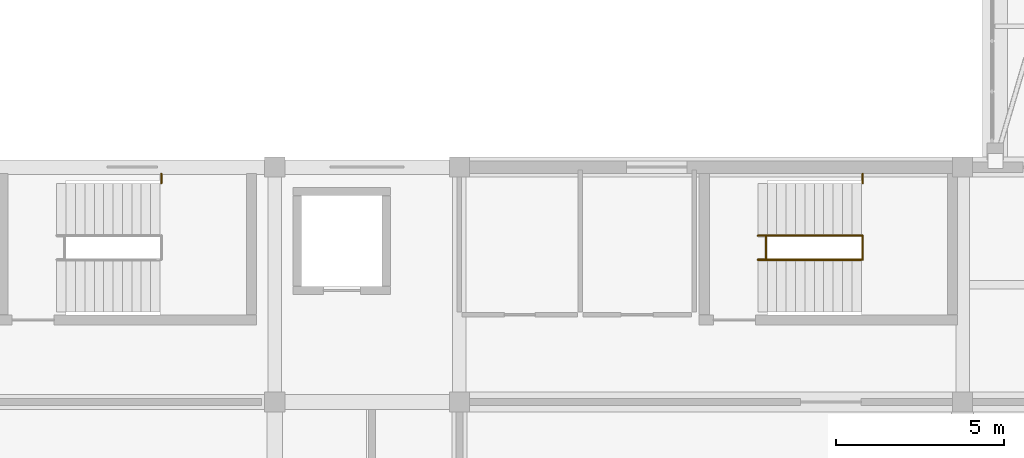
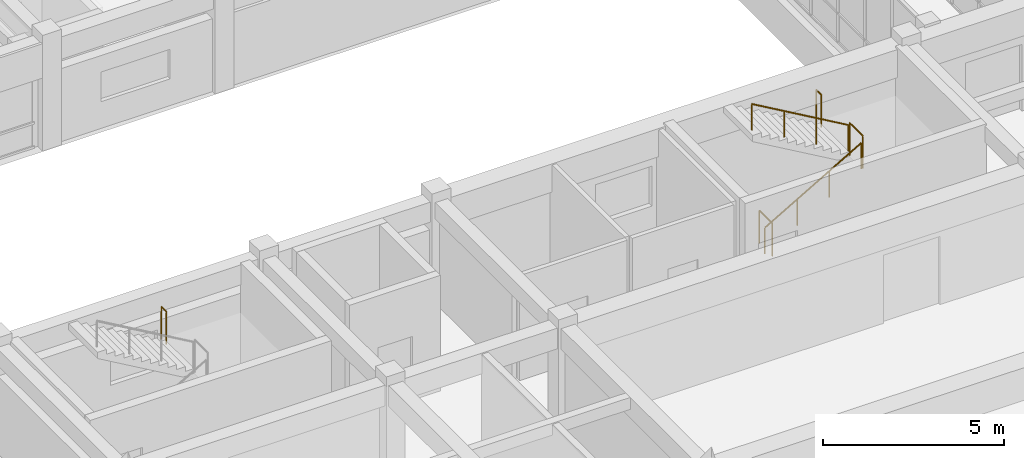
# One storey, part 58 of 66: 6 railings.
"""IFC4 building model written with IfcOpenShell, lengths in metres."""

from ifc_helpers import new_model, si_unit, direction, frame, origin, origin_2d, place, context, subcontext, project, spatial, circle, extrude, material, type_object, element, save


model = new_model("IFC4")

# Units and contexts
model_context = context("Model", 3, precision=1e-05, world=origin(), true_north=direction((0.0, 1.0)))
body_context = subcontext(model_context, "Body", "Model", "MODEL_VIEW")
ifc_project = project(units=[si_unit("LENGTHUNIT", "METRE"), si_unit("AREAUNIT", "SQUARE_METRE"), si_unit("VOLUMEUNIT", "CUBIC_METRE"), si_unit("PLANEANGLEUNIT", "RADIAN"), si_unit("MASSUNIT", "GRAM", prefix="KILO")], contexts=[model_context])

# Site, building, storey
site_placement = place(None, origin())
site = spatial("IfcSite", under=ifc_project, at=site_placement, CompositionType="ELEMENT")
building_placement = place(site_placement, origin())
building = spatial("IfcBuilding", under=site, at=building_placement, Name="Naurynzar Civic Courthouse", CompositionType="ELEMENT")
storey_placement = place(building_placement, frame((0.0, 0.0, 14.39990234375)))
storey = spatial("IfcBuildingStorey", under=building, at=storey_placement, Name="L04", CompositionType="ELEMENT", Elevation=14.39990234375)

# Railings
ifc_material_1 = material(Name="Brushed Stainless Steel 304", Category="steel")
railing_type_1 = type_object("IfcRailingType", Name="RAIL-BAL-1100", PredefinedType="BALUSTRADE", material=ifc_material_1)
railing_1_placement = place(storey_placement, frame((11.1201171875, 31.52001953125, 1.9501953125)))
element("IfcRailing", 1, at=railing_1_placement, inside=storey, type_object=railing_type_1, Name="Stair ST-V4A-L04 half-landing north slot guard", PredefinedType="BALUSTRADE", context=body_context, shape_type="SweptSolid", body=[
    extrude(circle(Radius=0.02392578125, at=origin_2d()), frame((0.0, 0.0, 1.09619140625), z_axis=(0.0, 1.0, 0.0), x_axis=(-1.0, 0.0, 0.0)), (0.0, 0.0, 1.0), 0.284912109375),
    extrude(circle(Radius=0.02099609375, at=origin_2d()), origin(), (0.0, 0.0, 1.0), 1.072021484375),
    extrude(circle(Radius=0.02099609375, at=origin_2d()), frame((0.0, 0.284912109375, 0.0)), (0.0, 0.0, 1.0), 1.072021484375),
])
for number, where, name in (
    (2, (29.139892578125, 29.239990234375, 0.0), "Stair ST-V4B floor well slot guard L04"),
    (3, (32.02001953125, 29.239990234375, 1.9501953125), "Stair ST-V4B-L04 half-landing well guard"),
):
    element("IfcRailing", number, at=place(storey_placement, frame(where)), inside=storey, type_object=railing_type_1, Name=name, PredefinedType="BALUSTRADE", context=body_context, shape_type="SweptSolid", body=[
        extrude(circle(Radius=0.02392578125, at=origin_2d()), frame((0.0, 0.0, 1.09619140625), z_axis=(0.0, 1.0, 0.0), x_axis=(-1.0, 0.0, 0.0)), (0.0, 0.0, 1.0), 0.719970703125),
        extrude(circle(Radius=0.02099609375, at=origin_2d()), origin(), (0.0, 0.0, 1.0), 1.072021484375),
        extrude(circle(Radius=0.02099609375, at=origin_2d()), frame((0.0, 0.719970703125, 0.0)), (0.0, 0.0, 1.0), 1.072021484375),
    ])
railing_2_placement = place(storey_placement, frame((32.02001953125, 31.52001953125, 1.9501953125)))
element("IfcRailing", 4, at=railing_2_placement, inside=storey, type_object=railing_type_1, Name="Stair ST-V4B-L04 half-landing north slot guard", PredefinedType="BALUSTRADE", context=body_context, shape_type="SweptSolid", body=[
    extrude(circle(Radius=0.02392578125, at=origin_2d()), frame((0.0, 0.0, 1.09619140625), z_axis=(0.0, 1.0, 0.0), x_axis=(-1.0, 0.0, 0.0)), (0.0, 0.0, 1.0), 0.284912109375),
    extrude(circle(Radius=0.02099609375, at=origin_2d()), origin(), (0.0, 0.0, 1.0), 1.072021484375),
    extrude(circle(Radius=0.02099609375, at=origin_2d()), frame((0.0, 0.284912109375, 0.0)), (0.0, 0.0, 1.0), 1.072021484375),
])
ifc_material_2 = material(Name="Brushed Stainless Steel 304", Category="steel")
railing_type_2 = type_object("IfcRailingType", Name="RAIL-HR-900", PredefinedType="HANDRAIL", material=ifc_material_2)
railing_3_placement = place(storey_placement, frame((28.89990234375, 29.239990234375, 0.16259765625)))
element("IfcRailing", 5, at=railing_3_placement, inside=storey, type_object=railing_type_2, Name="Stair ST-V4B-L04 flight 1 handrail", PredefinedType="HANDRAIL", context=body_context, shape_type="SweptSolid", body=[
    extrude(circle(Radius=0.02392578125, at=origin_2d()), frame((0.0, 0.0, 0.8759765625), z_axis=(0.864890721111, 0.0, 0.501960198159), x_axis=(0.0, 1.0, 0.0)), (0.0, 0.0, 1.0), 3.561279296875),
    extrude(circle(Radius=0.02099609375, at=origin_2d()), origin(), (0.0, 0.0, 1.0), 0.851806640625),
    extrude(circle(Radius=0.02099609375, at=origin_2d()), frame((1.026611328125, 0.0, 0.595947265625)), (0.0, 0.0, 1.0), 0.851806640625),
    extrude(circle(Radius=0.02099609375, at=origin_2d()), frame((2.053466796875, 0.0, 1.191650390625)), (0.0, 0.0, 1.0), 0.851806640625),
    extrude(circle(Radius=0.02099609375, at=origin_2d()), frame((3.080078125, 0.0, 1.78759765625)), (0.0, 0.0, 1.0), 0.851806640625),
])
railing_4_placement = place(storey_placement, frame((31.97998046875, 29.9599609375, 2.112548828125)))
element("IfcRailing", 6, at=railing_4_placement, inside=storey, type_object=railing_type_2, Name="Stair ST-V4B-L04 flight 2 handrail", PredefinedType="HANDRAIL", context=body_context, shape_type="SweptSolid", body=[
    extrude(circle(Radius=0.02392578125, at=origin_2d()), frame((0.0, 0.0, 0.8759765625), z_axis=(-0.864890721111, 0.0, 0.501960198159), x_axis=(0.0, -1.0, 0.0)), (0.0, 0.0, 1.0), 3.561279296875),
    extrude(circle(Radius=0.02099609375, at=origin_2d()), origin(), (0.0, 0.0, 1.0), 0.851806640625),
    extrude(circle(Radius=0.02099609375, at=origin_2d()), frame((-1.026611328125, 0.0, 0.595947265625)), (0.0, 0.0, 1.0), 0.851806640625),
    extrude(circle(Radius=0.02099609375, at=origin_2d()), frame((-2.053466796875, 0.0, 1.191650390625)), (0.0, 0.0, 1.0), 0.851806640625),
    extrude(circle(Radius=0.02099609375, at=origin_2d()), frame((-3.080078125, 0.0, 1.78759765625)), (0.0, 0.0, 1.0), 0.851806640625),
])

save(model, "model.ifc")
